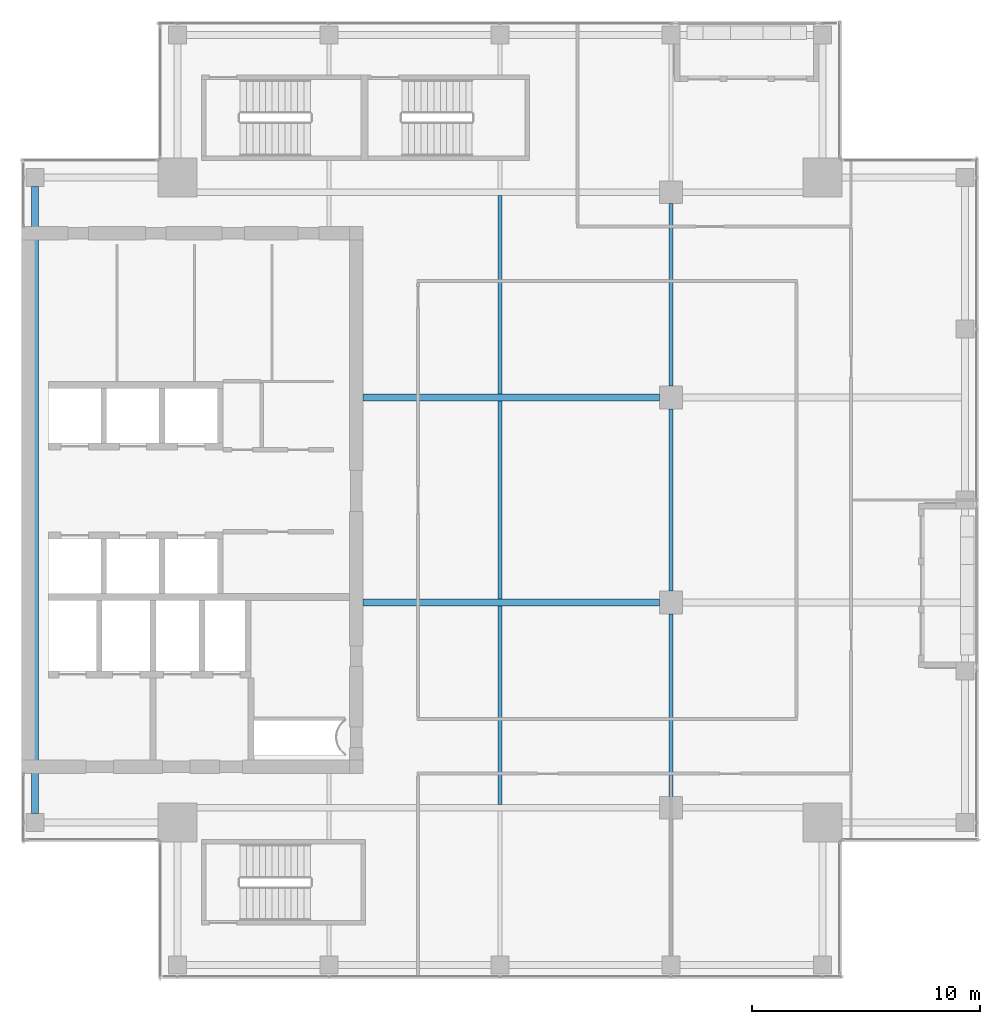
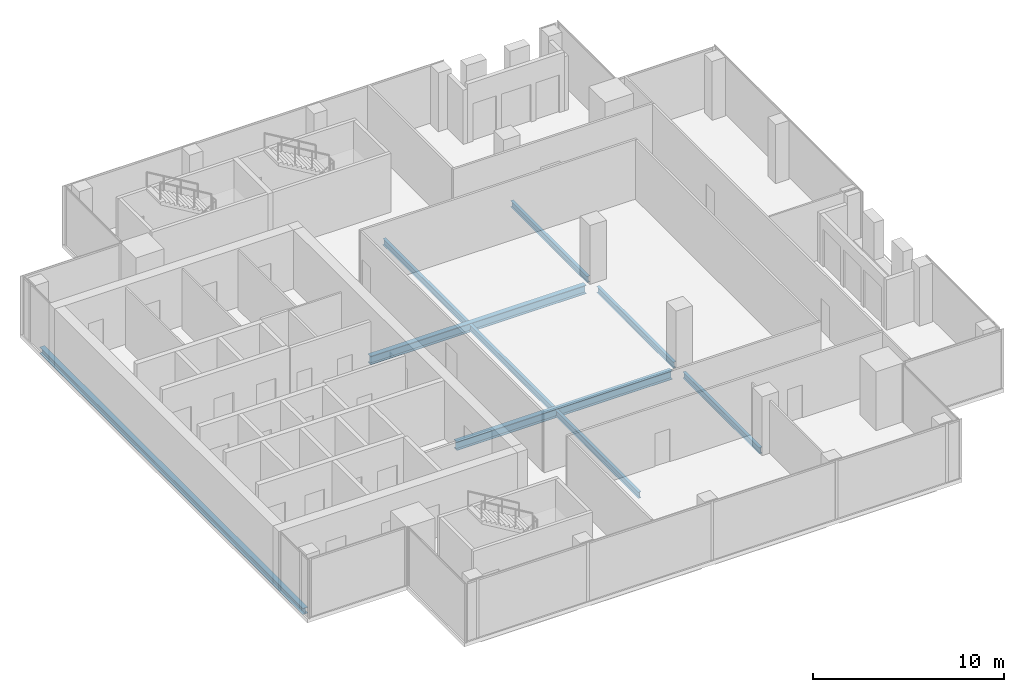
# One storey, part 8 of 29: 9 beams.
"""IFC4 building model written with IfcOpenShell, lengths in metres."""

from ifc_helpers import new_model, si_unit, direction, frame, origin, origin_2d, place, context, subcontext, project, spatial, i_section, extrude, source, transform, mapped, material, material_profile, profile_set, type_object, element, save


model = new_model("IFC4")

# Units and contexts
model_context = context("Model", 3, precision=1e-05, world=origin(), true_north=direction((0.0, 1.0)))
body_context = subcontext(model_context, "Body", "Model", "MODEL_VIEW")
ifc_project = project(units=[si_unit("LENGTHUNIT", "METRE"), si_unit("AREAUNIT", "SQUARE_METRE"), si_unit("VOLUMEUNIT", "CUBIC_METRE"), si_unit("PLANEANGLEUNIT", "RADIAN"), si_unit("MASSUNIT", "GRAM", prefix="KILO")], contexts=[model_context])

# Site, building, storey
site_placement = place(None, origin())
site = spatial("IfcSite", under=ifc_project, at=site_placement, CompositionType="ELEMENT")
building_placement = place(site_placement, origin())
building = spatial("IfcBuilding", under=site, at=building_placement, Name="Khomas Fold Tower", CompositionType="ELEMENT")
storey_placement = place(building_placement, frame((0.0, 0.0, 322.199951171875)))
storey = spatial("IfcBuildingStorey", under=building, at=storey_placement, Name="L73", CompositionType="ELEMENT", Elevation=322.199951171875)

# Beams
ifc_material_1 = material(Name="Steel S355", Category="steel")
ifc_material_profile_1 = material_profile(ifc_material_1, i_section(OverallWidth=0.179931640625, OverallDepth=0.39990234375, WebThickness=0.008544921875, FlangeThickness=0.013427734375, at=origin_2d()), Name="IPE 400")
ifc_profile_set_1 = profile_set([ifc_material_profile_1], Name="Steel S355")
beam_type_1 = type_object("IfcBeamType", Name="IPE 400 beam JB3", PredefinedType="BEAM", material=ifc_profile_set_1)
shared_shape_1 = source(origin(), body_context, "Body", "SweptSolid", [
    extrude(i_section(OverallWidth=0.179931640625, OverallDepth=0.39990234375, WebThickness=0.008544921875, FlangeThickness=0.013427734375, at=origin_2d()), origin(), (0.0, 0.0, 1.0), 8.7001953125),
])
for number, where, z_axis, x_axis, name in (
    (1, (27.0, 13.64990234375, -0.449951171875), (0.0, 1.0, 0.0), (-1.0, 0.0, 0.0), "JB3"),
    (2, (27.0, 22.64990234375, -0.449951171875), (0.0, 1.0, 0.0), (-1.0, 0.0, 0.0), "JB3"),
    (3, (27.0, 31.64990234375, -0.449951171875), (0.0, 1.0, 0.0), (-1.0, 0.0, 0.0), "JB3"),
):
    element("IfcBeam", number, at=place(storey_placement, frame(where, z_axis=z_axis, x_axis=x_axis)), inside=storey, type_object=beam_type_1, Name=name, PredefinedType="BEAM", context=body_context, shape_type="MappedRepresentation", body=[
        mapped(shared_shape_1, transform((0.0, 0.0, 0.0))),
    ])
ifc_material_2 = material(Name="Steel S355", Category="steel")
ifc_material_profile_2 = material_profile(ifc_material_2, i_section(OverallWidth=0.300048828125, OverallDepth=0.39990234375, WebThickness=0.013427734375, FlangeThickness=0.02392578125, at=origin_2d()), Name="HE 400 B")
ifc_profile_set_2 = profile_set([ifc_material_profile_2], Name="Steel S355")
beam_type_2 = type_object("IfcBeamType", Name="HE 400 B spandrel SB5", PredefinedType="SPANDREL", material=ifc_profile_set_2)
shared_shape_2 = source(origin(), body_context, "Body", "SweptSolid", [
    extrude(i_section(OverallWidth=0.300048828125, OverallDepth=0.39990234375, WebThickness=0.013427734375, FlangeThickness=0.02392578125, at=origin_2d()), origin(), (0.0, 0.0, 1.0), 27.5),
])
beam_placement = place(storey_placement, frame((6.60009765625, 13.25, -0.449951171875), z_axis=(0.0, 1.0, 0.0), x_axis=(-1.0, 0.0, 0.0)))
element("IfcBeam", 4, at=beam_placement, inside=storey, type_object=beam_type_2, Name="SB5", PredefinedType="SPANDREL", context=body_context, shape_type="MappedRepresentation", body=[
    mapped(shared_shape_2, transform((0.0, 0.0, 0.0))),
])
ifc_material_3 = material(Name="Steel S355", Category="steel")
ifc_material_profile_3 = material_profile(ifc_material_3, i_section(OverallWidth=0.300048828125, OverallDepth=0.550048828125, WebThickness=0.014892578125, FlangeThickness=0.029052734375, at=origin_2d()), Name="HE 550 B")
ifc_profile_set_3 = profile_set([ifc_material_profile_3], Name="Steel S355")
beam_type_3 = type_object("IfcBeamType", Name="HE 550 B beam GB4", PredefinedType="BEAM", material=ifc_profile_set_3)
shared_shape_3 = source(origin(), body_context, "Body", "SweptSolid", [
    extrude(i_section(OverallWidth=0.300048828125, OverallDepth=0.550048828125, WebThickness=0.014892578125, FlangeThickness=0.029052734375, at=origin_2d()), origin(), (0.0, 0.0, 1.0), 13.0),
])
for number, where, z_axis, x_axis, name in (
    (5, (21.0, 22.5, -0.52490234375), (1.0, 0.0, 0.0), (0.0, 1.0, 0.0), "GB4"),
    (6, (21.0, 31.5, -0.52490234375), (1.0, 0.0, 0.0), (0.0, 1.0, 0.0), "GB4"),
):
    element("IfcBeam", number, at=place(storey_placement, frame(where, z_axis=z_axis, x_axis=x_axis)), inside=storey, type_object=beam_type_3, Name=name, PredefinedType="BEAM", context=body_context, shape_type="MappedRepresentation", body=[
        mapped(shared_shape_3, transform((0.0, 0.0, 0.0))),
    ])
shared_shape_4 = source(origin(), body_context, "Body", "SweptSolid", [
    extrude(i_section(OverallWidth=0.179931640625, OverallDepth=0.39990234375, WebThickness=0.008544921875, FlangeThickness=0.013427734375, at=origin_2d()), origin(), (0.0, 0.0, 1.0), 8.0),
])
for number, where, z_axis, x_axis, name in (
    (7, (34.5, 14.0, -0.449951171875), (0.0, 1.0, 0.0), (-1.0, 0.0, 0.0), "JB3"),
    (8, (34.5, 23.0, -0.449951171875), (0.0, 1.0, 0.0), (-1.0, 0.0, 0.0), "JB3"),
    (9, (34.5, 32.0, -0.449951171875), (0.0, 1.0, 0.0), (-1.0, 0.0, 0.0), "JB3"),
):
    element("IfcBeam", number, at=place(storey_placement, frame(where, z_axis=z_axis, x_axis=x_axis)), inside=storey, type_object=beam_type_1, Name=name, PredefinedType="BEAM", context=body_context, shape_type="MappedRepresentation", body=[
        mapped(shared_shape_4, transform((0.0, 0.0, 0.0))),
    ])

save(model, "model.ifc")
